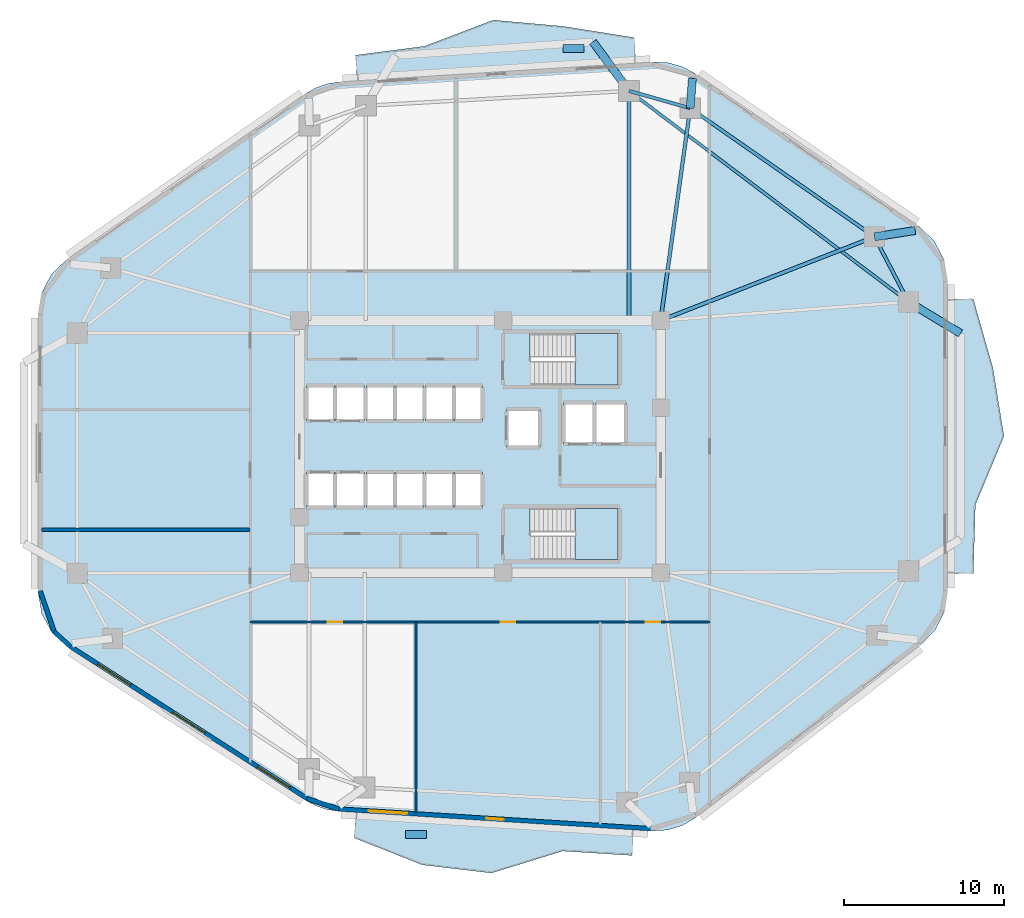
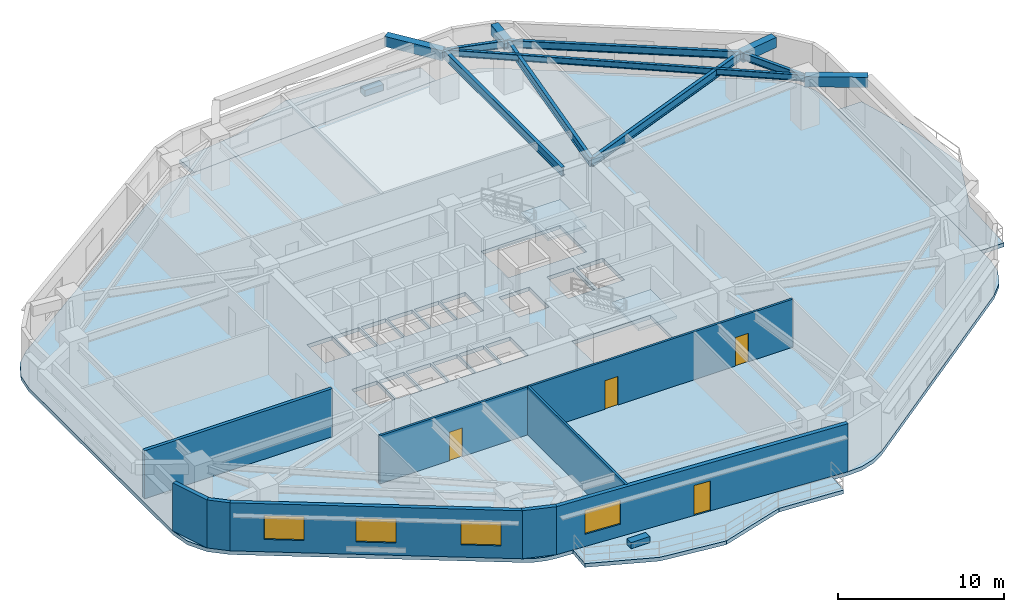
# One storey, part 2 of 8: 11 beams, 8 walls, 6 slabs, 4 doors, 4 windows, 2 plates, 8 openings, 2 elements without a shape of their own.
"""IFC4 building model written with IfcOpenShell, lengths in metres."""

from ifc_helpers import new_model, si_unit, direction, frame, frame_2d, origin, origin_2d, place, context, subcontext, project, spatial, polyline, rectangle, i_section, outline, extrude, material, layer, layer_set, material_profile, profile_set, type_object, element, fill, aggregate, save


model = new_model("IFC4")

# Units and contexts
model_context = context("Model", 3, precision=1e-05, world=origin(), true_north=direction((0.0, 1.0)))
body_context = subcontext(model_context, "Body", "Model", "MODEL_VIEW")
ifc_project = project(units=[si_unit("LENGTHUNIT", "METRE"), si_unit("AREAUNIT", "SQUARE_METRE"), si_unit("VOLUMEUNIT", "CUBIC_METRE"), si_unit("PLANEANGLEUNIT", "RADIAN"), si_unit("MASSUNIT", "GRAM", prefix="KILO")], contexts=[model_context])

# Site, building, storey
site_placement = place(None, origin())
site = spatial("IfcSite", under=ifc_project, at=site_placement, CompositionType="ELEMENT")
building_placement = place(site_placement, origin())
building = spatial("IfcBuilding", under=site, at=building_placement, Name="Zulverin Broadcast Headquarters", CompositionType="ELEMENT")
storey_placement = place(building_placement, frame((0.0, 0.0, 44.0)))
storey = spatial("IfcBuildingStorey", under=building, at=storey_placement, Name="L10", CompositionType="ELEMENT", Elevation=44.0)

# Beams
ifc_material_1 = material(Name="Concrete C40/50", Category="concrete")
ifc_material_profile_1 = material_profile(ifc_material_1, rectangle(XDim=0.5, YDim=0.75, at=origin_2d()), Name="Concrete C40/50", Category="concrete")
ifc_profile_set_1 = profile_set([ifc_material_profile_1], Name="Concrete C40/50")
beam_type_1 = type_object("IfcBeamType", Name="BM-RC-500x750", PredefinedType="BEAM", material=ifc_profile_set_1)
beam_1_placement = place(storey_placement, frame((61.630126953125, 38.298583984375, 3.14990234375), z_axis=(0.988133444256, 0.153597839639, 0.0), x_axis=(-0.153597839639, 0.988133444256, 0.0)))
element("IfcBeam", 1, at=beam_1_placement, inside=storey, type_object=beam_type_1, Name="L11 Plate Overhang Back-Spanned Beam OVR-07", PredefinedType="BEAM", context=body_context, shape_type="SweptSolid", body=[
    extrude(rectangle(XDim=0.5, YDim=0.75, at=origin_2d()), origin(), (0.0, 0.0, 1.0), 2.57177734375),
])
beam_2_placement = place(storey_placement, frame((50.121826171875, 46.325927734375, 3.14990234375), z_axis=(0.073023006252, 0.997330256514, 0.0), x_axis=(-0.997330256514, 0.073023006252, 0.0)))
element("IfcBeam", 2, at=beam_2_placement, inside=storey, type_object=beam_type_1, Name="L11 Plate Overhang Back-Spanned Beam OVR-08", PredefinedType="BEAM", context=body_context, shape_type="SweptSolid", body=[
    extrude(rectangle(XDim=0.5, YDim=0.75, at=origin_2d()), origin(), (0.0, 0.0, 1.0), 1.875732421875),
])
for number, where, z_axis, x_axis, name in (
    (3, (63.75, 34.235107421875, 3.14990234375), (0.855593685746, -0.517647993246, 0.0), (0.517647993246, 0.855593685746, 0.0), "L11 Balcony Column-Framed Cantilever BAL_E-2"),
    (4, (46.30224609375, 47.4091796875, 3.14990234375), (-0.592925064887, 0.805257640404, 0.0), (-0.805257640404, -0.592925064887, 0.0), "L11 Balcony Column-Framed Cantilever BAL_N-1"),
):
    element("IfcBeam", number, at=place(storey_placement, frame(where, z_axis=z_axis, x_axis=x_axis)), inside=storey, type_object=beam_type_1, Name=name, PredefinedType="BEAM", context=body_context, shape_type="SweptSolid", body=[
        extrude(rectangle(XDim=0.5, YDim=0.75, at=origin_2d()), origin(), (0.0, 0.0, 1.0), 3.800048828125),
    ])
ifc_material_2 = material(Name="Structural steel S355JR", Category="steel")
ifc_material_profile_2 = material_profile(ifc_material_2, i_section(OverallWidth=0.19287109375, OverallDepth=0.46728515625, WebThickness=0.011474609375, FlangeThickness=0.01953125, at=origin_2d()), Name="Structural steel S355JR", Category="steel")
ifc_profile_set_2 = profile_set([ifc_material_profile_2], Name="Structural steel S355JR")
beam_type_2 = type_object("IfcBeamType", Name="BM-UB-457", PredefinedType="JOIST", material=ifc_profile_set_2)
beam_3_placement = place(storey_placement, frame((63.75, 34.235107421875, 3.29150390625), z_axis=(-0.798058136838, 0.602580459546, 0.0), x_axis=(-0.602580459546, -0.798058136838, 0.0)))
element("IfcBeam", 5, at=beam_3_placement, inside=storey, type_object=beam_type_2, Name="L10 Chordal Floor Joist J-02", PredefinedType="JOIST", context=body_context, shape_type="SweptSolid", body=[
    extrude(i_section(OverallWidth=0.19287109375, OverallDepth=0.46728515625, WebThickness=0.011474609375, FlangeThickness=0.01953125, at=origin_2d()), origin(), (0.0, 0.0, 1.0), 21.86279296875),
])
ifc_material_profile_3 = material_profile(ifc_material_2, i_section(OverallWidth=0.2119140625, OverallDepth=0.54443359375, WebThickness=0.0126953125, FlangeThickness=0.021240234375, at=origin_2d()), Name="Structural steel S355JR", Category="steel")
ifc_profile_set_3 = profile_set([ifc_material_profile_3], Name="Structural steel S355JR")
beam_type_3 = type_object("IfcBeamType", Name="BM-UB-533", PredefinedType="SPANDREL", material=ifc_profile_set_3)
beam_4_placement = place(storey_placement, frame((63.75, 34.235107421875, 3.252685546875), z_axis=(-0.462531417359, 0.886602891917, 0.0), x_axis=(-0.886602891917, -0.462531417359, 0.0)))
element("IfcBeam", 6, at=beam_4_placement, inside=storey, type_object=beam_type_3, Name="L10 Perimeter Spandrel Beam SP-06", PredefinedType="SPANDREL", context=body_context, shape_type="SweptSolid", body=[
    extrude(i_section(OverallWidth=0.2119140625, OverallDepth=0.54443359375, WebThickness=0.0126953125, FlangeThickness=0.021240234375, at=origin_2d()), origin(), (0.0, 0.0, 1.0), 4.583251953125),
])
beam_5_placement = place(storey_placement, frame((61.630126953125, 38.298583984375, 3.252685546875), z_axis=(-0.820183915206, 0.5720999434, 0.0), x_axis=(-0.5720999434, -0.820183915206, 0.0)))
element("IfcBeam", 7, at=beam_5_placement, inside=storey, type_object=beam_type_3, Name="L10 Perimeter Spandrel Beam SP-07", PredefinedType="SPANDREL", context=body_context, shape_type="SweptSolid", body=[
    extrude(i_section(OverallWidth=0.2119140625, OverallDepth=0.54443359375, WebThickness=0.0126953125, FlangeThickness=0.021240234375, at=origin_2d()), origin(), (0.0, 0.0, 1.0), 14.03125),
])
beam_6_placement = place(storey_placement, frame((50.121826171875, 46.325927734375, 3.252685546875), z_axis=(-0.962058150721, 0.272844487999, 0.0), x_axis=(-0.272844487999, -0.962058150721, 0.0)))
element("IfcBeam", 8, at=beam_6_placement, inside=storey, type_object=beam_type_3, Name="L10 Perimeter Spandrel Beam SP-08", PredefinedType="SPANDREL", context=body_context, shape_type="SweptSolid", body=[
    extrude(i_section(OverallWidth=0.2119140625, OverallDepth=0.54443359375, WebThickness=0.0126953125, FlangeThickness=0.021240234375, at=origin_2d()), origin(), (0.0, 0.0, 1.0), 3.97021484375),
])
ifc_material_profile_4 = material_profile(ifc_material_2, i_section(OverallWidth=0.230224609375, OverallDepth=0.6171875, WebThickness=0.01318359375, FlangeThickness=0.022216796875, at=origin_2d()), Name="Structural steel S355JR", Category="steel")
ifc_profile_set_4 = profile_set([ifc_material_profile_4], Name="Structural steel S355JR")
beam_type_4 = type_object("IfcBeamType", Name="BM-UB-610", PredefinedType="BEAM", material=ifc_profile_set_4)
beam_7_placement = place(storey_placement, frame((48.27490234375, 33.074951171875, 3.21630859375), z_axis=(0.931297778153, 0.364258765723, 0.0), x_axis=(-0.364258765723, 0.931297778153, 0.0)))
element("IfcBeam", 9, at=beam_7_placement, inside=storey, type_object=beam_type_4, Name="L10 Radial Primary Floor Beam RB-07", PredefinedType="BEAM", context=body_context, shape_type="SweptSolid", body=[
    extrude(i_section(OverallWidth=0.230224609375, OverallDepth=0.6171875, WebThickness=0.01318359375, FlangeThickness=0.022216796875, at=origin_2d()), origin(), (0.0, 0.0, 1.0), 14.34033203125),
])
beam_8_placement = place(storey_placement, frame((48.27490234375, 33.074951171875, 3.21630859375), z_axis=(0.138045758193, 0.990425852169, 0.0), x_axis=(-0.990425852169, 0.138045758193, 0.0)))
element("IfcBeam", 10, at=beam_8_placement, inside=storey, type_object=beam_type_4, Name="L10 Radial Primary Floor Beam RB-08", PredefinedType="BEAM", context=body_context, shape_type="SweptSolid", body=[
    extrude(i_section(OverallWidth=0.230224609375, OverallDepth=0.6171875, WebThickness=0.01318359375, FlangeThickness=0.022216796875, at=origin_2d()), origin(), (0.0, 0.0, 1.0), 13.379150390625),
])
beam_9_placement = place(storey_placement, frame((46.30224609375, 33.074951171875, 3.21630859375), z_axis=(0.0, 1.0, 0.0), x_axis=(-1.0, 0.0, 0.0)))
element("IfcBeam", 11, at=beam_9_placement, inside=storey, type_object=beam_type_4, Name="L10 Radial Primary Floor Beam RB-09", PredefinedType="BEAM", context=body_context, shape_type="SweptSolid", body=[
    extrude(i_section(OverallWidth=0.230224609375, OverallDepth=0.6171875, WebThickness=0.01318359375, FlangeThickness=0.022216796875, at=origin_2d()), origin(), (0.0, 0.0, 1.0), 14.334228515625),
])

# Plates
ifc_material_3 = material(Name="Precast concrete C45/55", Category="concrete")
ifc_layer_1 = layer(ifc_material_3, 0.449951171875, Name="Precast concrete C45/55", Category="concrete")
ifc_layer_set_1 = layer_set([ifc_layer_1], Name="Precast concrete C45/55")
plate_type = type_object("IfcPlateType", Name="PT-01_PRECAST_GFRC_TREE_PLANTER", PredefinedType="USERDEFINED", material=ifc_layer_set_1)
for number, where, z_axis, x_axis, name in (
    (12, (32.993408203125, 0.973876953125, -0.0048828125), (0.0, 0.0, 1.0), (1.0, 0.0, 0.0), "L10 Precast GFRC Tree Planter BAL_S"),
    (13, (42.825927734375, 50.04638671875, -0.0048828125), (0.0, 0.0, 1.0), (1.0, 0.0, 0.0), "L10 Precast GFRC Tree Planter BAL_N"),
):
    element("IfcPlate", number, at=place(storey_placement, frame(where, z_axis=z_axis, x_axis=x_axis)), inside=storey, type_object=plate_type, Name=name, ObjectType="PLANTER", PredefinedType="USERDEFINED", context=body_context, shape_type="SweptSolid", body=[
        extrude(rectangle(XDim=1.300048828125, YDim=0.5, at=origin_2d()), origin(), (0.0, 0.0, 1.0), 0.449951171875),
    ])

# Slabs
ifc_layer_2 = layer(ifc_material_1, 0.27490234375, Name="Concrete C40/50", Category="concrete")
ifc_layer_set_2 = layer_set([ifc_layer_2], Name="Concrete C40/50")
slab_type_1 = type_object("IfcSlabType", Name="SLB-BAL-275", PredefinedType="FLOOR", material=ifc_layer_set_2)
slab_1_placement = place(storey_placement, frame((0.0, 0.0, -0.27490234375)))
element("IfcSlab", 14, at=slab_1_placement, inside=storey, type_object=slab_type_1, Name="L10 Cantilevered Planted Balcony Slab BAL_E", PredefinedType="FLOOR", context=body_context, shape_type="SweptSolid", body=[
    extrude(outline(polyline([(66.199951171875, 34.41455078125), (66.199951171875, 17.283447265625), (67.800048828125, 17.283447265625), (67.928955078125, 21.566162109375), (69.714599609375, 25.848876953125), (69.018798828125, 30.131591796875), (67.800048828125, 34.41455078125), (66.199951171875, 34.41455078125)])), origin(), (0.0, 0.0, 1.0), 0.27490234375),
])
slab_2_placement = place(storey_placement, frame((0.0, 0.0, -0.27490234375)))
element("IfcSlab", 15, at=slab_2_placement, inside=storey, type_object=slab_type_1, Name="L10 Cantilevered Planted Balcony Slab BAL_S", PredefinedType="FLOOR", context=body_context, shape_type="SweptSolid", body=[
    extrude(outline(polyline([(46.5927734375, 1.268310546875), (29.250244140625, 2.3623046875), (29.149658203125, 0.765380859375), (33.396484375, -0.9169921875), (37.717041015625, -1.42822265625), (42.156494140625, -0.054931640625), (46.4921875, -0.328369140625), (46.5927734375, 1.268310546875)])), origin(), (0.0, 0.0, 1.0), 0.27490234375),
])
slab_3_placement = place(storey_placement, frame((0.0, 0.0, -0.27490234375)))
element("IfcSlab", 16, at=slab_3_placement, inside=storey, type_object=slab_type_1, Name="L10 Cantilevered Planted Balcony Slab BAL_N", PredefinedType="FLOOR", context=body_context, shape_type="SweptSolid", body=[
    extrude(outline(polyline([(29.330078125, 48.04296875), (46.72509765625, 49.139892578125), (46.62451171875, 50.73681640625), (42.214111328125, 51.439453125), (37.8232421875, 51.8349609375), (33.56005859375, 50.2041015625), (29.2294921875, 49.639892578125), (29.330078125, 48.04296875)])), origin(), (0.0, 0.0, 1.0), 0.27490234375),
])

# Stair, slab
stair_type = type_object("IfcStairType", Name="ST-CORE-1500", PredefinedType="HALF_TURN_STAIR", material=ifc_material_1)
stair_1_placement = place(storey_placement, origin())
stair_1 = element("IfcStair", 17, at=stair_1_placement, inside=storey, type_object=stair_type, Name="L10 Core Exit Stair ST-1", PredefinedType="HALF_TURN_STAIR")
ifc_layer_3 = layer(ifc_material_1, 0.199951171875, Name="Concrete C40/50", Category="concrete")
ifc_layer_set_3 = layer_set([ifc_layer_3], Name="Concrete C40/50")
slab_type_2 = type_object("IfcSlabType", Name="SLB-ST-LND200", PredefinedType="LANDING", material=ifc_layer_set_3)
slab_4_placement = place(storey_placement, frame((0.0, 0.0, 1.699951171875)))
slab_4 = element("IfcSlab", 18, at=slab_4_placement, type_object=slab_type_2, Name="ST-1 landing 1", PredefinedType="LANDING", context=body_context, shape_type="SweptSolid", body=[
    extrude(outline(polyline([(42.929931640625, 29.050048828125), (45.60009765625, 29.050048828125), (45.60009765625, 32.25), (42.929931640625, 32.25), (42.929931640625, 29.050048828125)])), origin(), (0.0, 0.0, 1.0), 0.199951171875),
])
aggregate(stair_1, [slab_4])

stair_2_placement = place(storey_placement, origin())
stair_2 = element("IfcStair", 19, at=stair_2_placement, inside=storey, type_object=stair_type, Name="L10 Core Exit Stair ST-2", PredefinedType="HALF_TURN_STAIR")
slab_5_placement = place(storey_placement, frame((0.0, 0.0, 1.699951171875)))
slab_5 = element("IfcSlab", 20, at=slab_5_placement, type_object=slab_type_2, Name="ST-2 landing 1", PredefinedType="LANDING", context=body_context, shape_type="SweptSolid", body=[
    extrude(outline(polyline([(42.929931640625, 18.14990234375), (45.60009765625, 18.14990234375), (45.60009765625, 21.35009765625), (42.929931640625, 21.35009765625), (42.929931640625, 18.14990234375)])), origin(), (0.0, 0.0, 1.0), 0.199951171875),
])
aggregate(stair_2, [slab_5])

# Slab
ifc_layer_4 = layer(ifc_material_1, 0.27490234375, Name="Concrete C40/50", Category="concrete")
ifc_layer_set_4 = layer_set([ifc_layer_4], Name="Concrete C40/50")
slab_type_3 = type_object("IfcSlabType", Name="SLB-TWR-275", PredefinedType="FLOOR", material=ifc_layer_set_4)
slab_6_placement = place(storey_placement, frame((0.0, 0.0, -0.27490234375)))
element("IfcSlab", 21, at=slab_6_placement, inside=storey, type_object=slab_type_3, Name="L10 Main Structural Floor Slab", PredefinedType="FLOOR", context=body_context, shape_type="SweptSolid", body=[
    extrude(outline(polyline([(26.146484375, 3.089599609375), (26.774658203125, 2.75732421875), (27.44970703125, 2.535888671875), (28.152587890625, 2.431396484375), (47.690673828125, 1.19921875), (48.69189453125, 1.256103515625), (49.6513671875, 1.548828125), (50.51416015625, 2.060546875), (64.55908203125, 12.85302734375), (65.44140625, 13.77587890625), (66.005859375, 14.92138671875), (66.199951171875, 16.183349609375), (66.199951171875, 35.514404296875), (65.981689453125, 36.85107421875), (65.349365234375, 38.048583984375), (64.368896484375, 38.982666015625), (50.456298828125, 48.485595703125), (49.639404296875, 48.920166015625), (48.747314453125, 49.165283203125), (47.822998046875, 49.208984375), (28.232421875, 47.9736328125), (27.481201171875, 47.857421875), (26.76318359375, 47.607666015625), (26.102294921875, 47.232666015625), (11.20556640625, 36.89501953125), (10.238037109375, 35.9619140625), (9.614990234375, 34.77099609375), (9.39990234375, 33.4443359375), (9.39990234375, 16.1435546875), (9.631103515625, 14.769775390625), (10.298583984375, 13.547119140625), (11.32958984375, 12.610107421875), (26.146484375, 3.089599609375)]), holes=[polyline([(40.155029296875, 30.75), (40.130126953125, 30.75), (40.130126953125, 32.25), (45.60009765625, 32.25), (45.60009765625, 29.050048828125), (40.155029296875, 29.050048828125), (40.155029296875, 30.75)]), polyline([(40.155029296875, 19.85009765625), (40.130126953125, 19.85009765625), (40.130126953125, 21.35009765625), (45.60009765625, 21.35009765625), (45.60009765625, 18.14990234375), (40.155029296875, 18.14990234375), (40.155029296875, 19.85009765625)]), polyline([(26.14990234375, 26.800048828125), (27.89990234375, 26.800048828125), (27.89990234375, 29.0), (26.14990234375, 29.0), (26.14990234375, 26.800048828125)]), polyline([(28.02001953125, 26.800048828125), (29.77001953125, 26.800048828125), (29.77001953125, 29.0), (28.02001953125, 29.0), (28.02001953125, 26.800048828125)]), polyline([(26.14990234375, 21.39990234375), (27.89990234375, 21.39990234375), (27.89990234375, 23.60009765625), (26.14990234375, 23.60009765625), (26.14990234375, 21.39990234375)]), polyline([(28.02001953125, 21.39990234375), (29.77001953125, 21.39990234375), (29.77001953125, 23.60009765625), (28.02001953125, 23.60009765625), (28.02001953125, 21.39990234375)]), polyline([(29.89990234375, 21.39990234375), (31.6201171875, 21.39990234375), (31.6201171875, 23.60009765625), (29.89990234375, 23.60009765625), (29.89990234375, 21.39990234375)]), polyline([(31.739990234375, 21.39990234375), (33.4599609375, 21.39990234375), (33.4599609375, 23.60009765625), (31.739990234375, 23.60009765625), (31.739990234375, 21.39990234375)]), polyline([(33.580078125, 21.39990234375), (35.300048828125, 21.39990234375), (35.300048828125, 23.60009765625), (33.580078125, 23.60009765625), (33.580078125, 21.39990234375)]), polyline([(35.419921875, 21.39990234375), (37.139892578125, 21.39990234375), (37.139892578125, 23.60009765625), (35.419921875, 23.60009765625), (35.419921875, 21.39990234375)]), polyline([(29.89990234375, 26.800048828125), (31.6201171875, 26.800048828125), (31.6201171875, 29.0), (29.89990234375, 29.0), (29.89990234375, 26.800048828125)]), polyline([(31.739990234375, 26.800048828125), (33.4599609375, 26.800048828125), (33.4599609375, 29.0), (31.739990234375, 29.0), (31.739990234375, 26.800048828125)]), polyline([(33.580078125, 26.800048828125), (35.300048828125, 26.800048828125), (35.300048828125, 29.0), (33.580078125, 29.0), (33.580078125, 26.800048828125)]), polyline([(35.419921875, 26.800048828125), (37.139892578125, 26.800048828125), (37.139892578125, 29.0), (35.419921875, 29.0), (35.419921875, 26.800048828125)]), polyline([(42.199951171875, 25.35009765625), (44.050048828125, 25.35009765625), (44.050048828125, 27.949951171875), (42.199951171875, 27.949951171875), (42.199951171875, 25.35009765625)]), polyline([(44.25, 25.35009765625), (46.10009765625, 25.35009765625), (46.10009765625, 27.949951171875), (44.25, 27.949951171875), (44.25, 25.35009765625)]), polyline([(38.64990234375, 25.14990234375), (40.75, 25.14990234375), (40.75, 27.550048828125), (38.64990234375, 27.550048828125), (38.64990234375, 25.14990234375)])]), origin(), (0.0, 0.0, 1.0), 0.27490234375),
])

# Wall
ifc_material_4 = material(Name="Double-stud acoustic drywall", Category="gypsum")
ifc_layer_5 = layer(ifc_material_4, 0.219970703125, Name="Double-stud acoustic drywall", Category="gypsum")
ifc_layer_set_5 = layer_set([ifc_layer_5], Name="Double-stud acoustic drywall")
wall_type_1 = type_object("IfcWallType", Name="WL-ACOU-220", PredefinedType="PARTITIONING", material=ifc_layer_set_5)
wall_1_placement = place(storey_placement, frame((9.60498046875, 20.0, 0.0), z_axis=(0.0, 0.0, 1.0), x_axis=(1.0, 0.0, 0.0)))
element("IfcWall", 22, at=wall_1_placement, inside=storey, type_object=wall_type_1, Name="L10 Room Partition Wall RP-07", PredefinedType="PARTITIONING", context=body_context, shape_type="SweptSolid", body=[
    extrude(rectangle(XDim=13.044921875, YDim=0.219970703125, at=frame_2d((6.5224609375, 0.0))), origin(), (0.0, 0.0, 1.0), 3.52490234375),
])

# Wall, openings, door, window
ifc_material_5 = material(Name="Insulated pale-metal clad concrete spandrel C40/50", Category="concrete")
ifc_layer_6 = layer(ifc_material_5, 0.280029296875, Name="Insulated pale-metal clad concrete spandrel C40/50", Category="concrete")
ifc_layer_set_6 = layer_set([ifc_layer_6], Name="Insulated pale-metal clad concrete spandrel C40/50")
wall_type_2 = type_object("IfcWallType", Name="WL-EXT-280", PredefinedType="STANDARD", material=ifc_layer_set_6)
wall_2_placement = place(storey_placement, frame((28.161376953125, 2.571044921875, 0.0), z_axis=(0.0, 0.0, 1.0), x_axis=(0.998017288298, -0.06294038654, 0.0)))
wall_2 = element("IfcWall", 23, at=wall_2_placement, inside=storey, type_object=wall_type_2, Name="L10 Pale-Metal Clad Spandrel Wall 1", PredefinedType="STANDARD", context=body_context, shape_type="SweptSolid", body=[
    extrude(rectangle(XDim=19.576904296875, YDim=0.280029296875, at=frame_2d((9.78857421875, 0.0))), origin(), (0.0, 0.0, 1.0), 3.52490234375),
])
opening_1_placement = place(wall_2_placement, frame((9.238525390625, 0.0, 0.0)))
opening_1 = element("IfcOpeningElement", 24, at=opening_1_placement, cuts=wall_2, Name="Opening D-L10-TR1", PredefinedType="OPENING", context=body_context, shape_type="SweptSolid", body=[
    extrude(rectangle(XDim=1.10009765625, YDim=2.199951171875, at=frame_2d((0.550048828125, 1.10009765625))), frame((0.0, 0.14990234375, 0.0), z_axis=(0.0, -1.0, 0.0), x_axis=(1.0, 0.0, 0.0)), (0.0, 0.0, 1.0), 0.300048828125),
])
opening_2_placement = place(wall_2_placement, frame((1.896240234375, 0.0, 0.89990234375)))
opening_2 = element("IfcOpeningElement", 25, at=opening_2_placement, cuts=wall_2, Name="Opening W-L10-E11", PredefinedType="OPENING", context=body_context, shape_type="SweptSolid", body=[
    extrude(rectangle(XDim=2.39990234375, YDim=1.75, at=frame_2d((1.199951171875, 0.875))), frame((0.0, 0.14990234375, 0.0), z_axis=(0.0, -1.0, 0.0), x_axis=(1.0, 0.0, 0.0)), (0.0, 0.0, 1.0), 0.300048828125),
])
ifc_material_6 = material(Name="Thermally broken aluminium glazed", Category="aluminium")
door_type_1 = type_object("IfcDoorType", Name="DR-TERR-1100", OperationType="SINGLE_SWING_RIGHT", PredefinedType="DOOR", material=ifc_material_6)
door_1_placement = place(opening_1_placement, origin())
door_1 = element("IfcDoor", 26, at=door_1_placement, inside=storey, type_object=door_type_1, Name="L10 Planted Terrace Glazed Access Door 1", OperationType="SINGLE_SWING_RIGHT", OverallHeight=2.199951171875, OverallWidth=1.10009765625, PredefinedType="DOOR", context=body_context, shape_type="SweptSolid", body=[
    extrude(rectangle(XDim=1.10009765625, YDim=2.199951171875, at=frame_2d((0.550048828125, 1.10009765625))), frame((0.0, 0.02490234375, 0.0), z_axis=(0.0, -1.0, 0.0), x_axis=(1.0, 0.0, 0.0)), (0.0, 0.0, 1.0), 0.050048828125),
])
fill(opening_1, door_1)
ifc_material_7 = material(Name="Pale anodized aluminium frame with solar-control low-E double glazing", Category="aluminium")
window_type = type_object("IfcWindowType", Name="WIN-RIB-2400", PartitioningType="SINGLE_PANEL", PredefinedType="WINDOW", material=ifc_material_7)
window_1_placement = place(opening_2_placement, origin())
window_1 = element("IfcWindow", 27, at=window_1_placement, inside=storey, type_object=window_type, Name="L10 Ribbon Glazing Window 1 1", OverallHeight=1.75, OverallWidth=2.39990234375, PartitioningType="SINGLE_PANEL", PredefinedType="WINDOW", context=body_context, shape_type="SweptSolid", body=[
    extrude(rectangle(XDim=2.39990234375, YDim=1.75, at=frame_2d((1.199951171875, 0.875))), frame((0.0, 0.030029296875, 0.0), z_axis=(0.0, -1.0, 0.0), x_axis=(1.0, 0.0, 0.0)), (0.0, 0.0, 1.0), 0.06005859375),
])
fill(opening_2, window_1)

# Wall, openings, windows
wall_3_placement = place(storey_placement, frame((11.4052734375, 12.727783203125, 0.0), z_axis=(0.0, 0.0, 1.0), x_axis=(0.841304564637, -0.540561402175, 0.0)))
wall_3 = element("IfcWall", 28, at=wall_3_placement, inside=storey, type_object=wall_type_2, Name="L10 Pale-Metal Clad Spandrel Wall 8", PredefinedType="STANDARD", context=body_context, shape_type="SweptSolid", body=[
    extrude(rectangle(XDim=17.61181640625, YDim=0.280029296875, at=frame_2d((8.805908203125, 0.0))), origin(), (0.0, 0.0, 1.0), 3.52490234375),
])
opening_3_placement = place(wall_3_placement, frame((2.068603515625, 0.0, 0.89990234375)))
opening_3 = element("IfcOpeningElement", 29, at=opening_3_placement, cuts=wall_3, Name="Opening W-L10-E81", PredefinedType="OPENING", context=body_context, shape_type="SweptSolid", body=[
    extrude(rectangle(XDim=2.39990234375, YDim=1.75, at=frame_2d((1.199951171875, 0.875))), frame((0.0, 0.14990234375, 0.0), z_axis=(0.0, -1.0, 0.0), x_axis=(1.0, 0.0, 0.0)), (0.0, 0.0, 1.0), 0.300048828125),
])
opening_4_placement = place(wall_3_placement, frame((7.60595703125, 0.0, 0.89990234375)))
opening_4 = element("IfcOpeningElement", 30, at=opening_4_placement, cuts=wall_3, Name="Opening W-L10-E82", PredefinedType="OPENING", context=body_context, shape_type="SweptSolid", body=[
    extrude(rectangle(XDim=2.39990234375, YDim=1.75, at=frame_2d((1.199951171875, 0.875))), frame((0.0, 0.14990234375, 0.0), z_axis=(0.0, -1.0, 0.0), x_axis=(1.0, 0.0, 0.0)), (0.0, 0.0, 1.0), 0.300048828125),
])
opening_5_placement = place(wall_3_placement, frame((13.923095703125, 0.0, 0.89990234375)))
opening_5 = element("IfcOpeningElement", 31, at=opening_5_placement, cuts=wall_3, Name="Opening W-L10-E83", PredefinedType="OPENING", context=body_context, shape_type="SweptSolid", body=[
    extrude(rectangle(XDim=2.39990234375, YDim=1.75, at=frame_2d((1.199951171875, 0.875))), frame((0.0, 0.14990234375, 0.0), z_axis=(0.0, -1.0, 0.0), x_axis=(1.0, 0.0, 0.0)), (0.0, 0.0, 1.0), 0.300048828125),
])
window_2_placement = place(opening_3_placement, origin())
window_2 = element("IfcWindow", 32, at=window_2_placement, inside=storey, type_object=window_type, Name="L10 Ribbon Glazing Window 8 1", OverallHeight=1.75, OverallWidth=2.39990234375, PartitioningType="SINGLE_PANEL", PredefinedType="WINDOW", context=body_context, shape_type="SweptSolid", body=[
    extrude(rectangle(XDim=2.39990234375, YDim=1.75, at=frame_2d((1.199951171875, 0.875))), frame((0.0, 0.030029296875, 0.0), z_axis=(0.0, -1.0, 0.0), x_axis=(1.0, 0.0, 0.0)), (0.0, 0.0, 1.0), 0.06005859375),
])
fill(opening_3, window_2)
window_3_placement = place(opening_4_placement, origin())
window_3 = element("IfcWindow", 33, at=window_3_placement, inside=storey, type_object=window_type, Name="L10 Ribbon Glazing Window 8 2", OverallHeight=1.75, OverallWidth=2.39990234375, PartitioningType="SINGLE_PANEL", PredefinedType="WINDOW", context=body_context, shape_type="SweptSolid", body=[
    extrude(rectangle(XDim=2.39990234375, YDim=1.75, at=frame_2d((1.199951171875, 0.875))), frame((0.0, 0.030029296875, 0.0), z_axis=(0.0, -1.0, 0.0), x_axis=(1.0, 0.0, 0.0)), (0.0, 0.0, 1.0), 0.06005859375),
])
fill(opening_4, window_3)
window_4_placement = place(opening_5_placement, origin())
window_4 = element("IfcWindow", 34, at=window_4_placement, inside=storey, type_object=window_type, Name="L10 Ribbon Glazing Window 8 3", OverallHeight=1.75, OverallWidth=2.39990234375, PartitioningType="SINGLE_PANEL", PredefinedType="WINDOW", context=body_context, shape_type="SweptSolid", body=[
    extrude(rectangle(XDim=2.39990234375, YDim=1.75, at=frame_2d((1.199951171875, 0.875))), frame((0.0, 0.030029296875, 0.0), z_axis=(0.0, -1.0, 0.0), x_axis=(1.0, 0.0, 0.0)), (0.0, 0.0, 1.0), 0.06005859375),
])
fill(opening_5, window_4)

# Walls
wall_4_placement = place(storey_placement, frame((9.5322265625, 16.189453125, 0.0), z_axis=(0.0, 0.0, 1.0), x_axis=(0.32708309668, -0.944995580871, 0.0)))
element("IfcWall", 35, at=wall_4_placement, inside=storey, type_object=wall_type_2, Name="L10 Wind-Shaped Corner Spandrel Wall 7-1", PredefinedType="STANDARD", context=body_context, shape_type="SweptSolid", body=[
    extrude(rectangle(XDim=2.74755859375, YDim=0.280029296875, at=frame_2d((1.373779296875, 0.0))), origin(), (0.0, 0.0, 1.0), 3.52490234375),
])
wall_5_placement = place(storey_placement, frame((10.392822265625, 13.650634765625, 0.0), z_axis=(0.0, 0.0, 1.0), x_axis=(0.74003521851, -0.672568119498, 0.0)))
element("IfcWall", 36, at=wall_5_placement, inside=storey, type_object=wall_type_2, Name="L10 Wind-Shaped Corner Spandrel Wall 7-2", PredefinedType="STANDARD", context=body_context, shape_type="SweptSolid", body=[
    extrude(rectangle(XDim=1.39306640625, YDim=0.280029296875, at=frame_2d((0.696533203125, 0.0))), origin(), (0.0, 0.0, 1.0), 3.52490234375),
])
wall_6_placement = place(storey_placement, frame((26.18994140625, 3.22265625, 0.0), z_axis=(0.0, 0.0, 1.0), x_axis=(0.95016442175, -0.311749212734, 0.0)))
element("IfcWall", 37, at=wall_6_placement, inside=storey, type_object=wall_type_2, Name="L10 Wind-Shaped Corner Spandrel Wall 8-1", PredefinedType="STANDARD", context=body_context, shape_type="SweptSolid", body=[
    extrude(rectangle(XDim=2.111328125, YDim=0.280029296875, at=frame_2d((1.0556640625, 0.0))), origin(), (0.0, 0.0, 1.0), 3.52490234375),
])
ifc_material_8 = material(Name="Fire-rated gypsum stud partition", Category="gypsum")
ifc_layer_7 = layer(ifc_material_8, 0.14990234375, Name="Fire-rated gypsum stud partition", Category="gypsum")
ifc_layer_set_7 = layer_set([ifc_layer_7], Name="Fire-rated gypsum stud partition")
wall_type_3 = type_object("IfcWallType", Name="WL-PART-150", PredefinedType="PARTITIONING", material=ifc_layer_set_7)
wall_7_placement = place(storey_placement, frame((33.0, 2.330810546875, 0.0), z_axis=(0.0, 0.0, 1.0), x_axis=(0.0, 1.0, 0.0)))
element("IfcWall", 38, at=wall_7_placement, inside=storey, type_object=wall_type_3, Name="L10 Room Partition Wall RP-04", PredefinedType="PARTITIONING", context=body_context, shape_type="SweptSolid", body=[
    extrude(rectangle(XDim=11.919189453125, YDim=0.14990234375, at=frame_2d((5.95947265625, 0.0))), origin(), (0.0, 0.0, 1.0), 3.52490234375),
])

# Wall, openings, doors
wall_8_placement = place(storey_placement, frame((22.64990234375, 14.25, 0.0), z_axis=(0.0, 0.0, 1.0), x_axis=(1.0, 0.0, 0.0)))
wall_8 = element("IfcWall", 39, at=wall_8_placement, inside=storey, type_object=wall_type_3, Name="L10 Gallery Partition Wall CG-06", PredefinedType="PARTITIONING", context=body_context, shape_type="SweptSolid", body=[
    extrude(rectangle(XDim=28.7001953125, YDim=0.14990234375, at=frame_2d((14.35009765625, 0.0))), origin(), (0.0, 0.0, 1.0), 3.52490234375),
])
opening_6_placement = place(wall_8_placement, frame((4.844970703125, 0.0, 0.0)))
opening_6 = element("IfcOpeningElement", 40, at=opening_6_placement, cuts=wall_8, Name="Opening D-L10-03", PredefinedType="OPENING", context=body_context, shape_type="SweptSolid", body=[
    extrude(rectangle(XDim=0.89990234375, YDim=2.10009765625, at=frame_2d((0.449951171875, 1.050048828125))), frame((0.0, 0.0849609375, 0.0), z_axis=(0.0, -1.0, 0.0), x_axis=(1.0, 0.0, 0.0)), (0.0, 0.0, 1.0), 0.169921875),
])
opening_7_placement = place(wall_8_placement, frame((15.64990234375, 0.0, 0.0)))
opening_7 = element("IfcOpeningElement", 41, at=opening_7_placement, cuts=wall_8, Name="Opening D-L10-04", PredefinedType="OPENING", context=body_context, shape_type="SweptSolid", body=[
    extrude(rectangle(XDim=0.89990234375, YDim=2.10009765625, at=frame_2d((0.449951171875, 1.050048828125))), frame((0.0, 0.0849609375, 0.0), z_axis=(0.0, -1.0, 0.0), x_axis=(1.0, 0.0, 0.0)), (0.0, 0.0, 1.0), 0.169921875),
])
opening_8_placement = place(wall_8_placement, frame((24.705078125, 0.0, 0.0)))
opening_8 = element("IfcOpeningElement", 42, at=opening_8_placement, cuts=wall_8, Name="Opening D-L10-05", PredefinedType="OPENING", context=body_context, shape_type="SweptSolid", body=[
    extrude(rectangle(XDim=0.89990234375, YDim=2.10009765625, at=frame_2d((0.449951171875, 1.050048828125))), frame((0.0, 0.0849609375, 0.0), z_axis=(0.0, -1.0, 0.0), x_axis=(1.0, 0.0, 0.0)), (0.0, 0.0, 1.0), 0.169921875),
])
ifc_material_9 = material(Name="Fire-rated hardwood veneer timber leaf", Category="wood")
door_type_2 = type_object("IfcDoorType", Name="DR-ROOM-900", OperationType="SINGLE_SWING_RIGHT", PredefinedType="DOOR", material=ifc_material_9)
door_2_placement = place(opening_6_placement, origin())
door_2 = element("IfcDoor", 43, at=door_2_placement, inside=storey, type_object=door_type_2, Name="L10 Project Huddle Room Door", OperationType="SINGLE_SWING_LEFT", OverallHeight=2.10009765625, OverallWidth=0.89990234375, PredefinedType="DOOR", context=body_context, shape_type="SweptSolid", body=[
    extrude(rectangle(XDim=0.89990234375, YDim=2.10009765625, at=frame_2d((0.449951171875, 1.050048828125))), frame((0.0, 0.02490234375, 0.0), z_axis=(0.0, -1.0, 0.0), x_axis=(1.0, 0.0, 0.0)), (0.0, 0.0, 1.0), 0.050048828125),
])
fill(opening_6, door_2)
door_3_placement = place(opening_7_placement, origin())
door_3 = element("IfcDoor", 44, at=door_3_placement, inside=storey, type_object=door_type_2, Name="L10 Conference Room Door", OperationType="SINGLE_SWING_RIGHT", OverallHeight=2.10009765625, OverallWidth=0.89990234375, PredefinedType="DOOR", context=body_context, shape_type="SweptSolid", body=[
    extrude(rectangle(XDim=0.89990234375, YDim=2.10009765625, at=frame_2d((0.449951171875, 1.050048828125))), frame((0.0, 0.02490234375, 0.0), z_axis=(0.0, -1.0, 0.0), x_axis=(1.0, 0.0, 0.0)), (0.0, 0.0, 1.0), 0.050048828125),
])
fill(opening_7, door_3)
door_4_placement = place(opening_8_placement, origin())
door_4 = element("IfcDoor", 45, at=door_4_placement, inside=storey, type_object=door_type_2, Name="L10 Editorial Review Suite Door", OperationType="SINGLE_SWING_LEFT", OverallHeight=2.10009765625, OverallWidth=0.89990234375, PredefinedType="DOOR", context=body_context, shape_type="SweptSolid", body=[
    extrude(rectangle(XDim=0.89990234375, YDim=2.10009765625, at=frame_2d((0.449951171875, 1.050048828125))), frame((0.0, 0.02490234375, 0.0), z_axis=(0.0, -1.0, 0.0), x_axis=(1.0, 0.0, 0.0)), (0.0, 0.0, 1.0), 0.050048828125),
])
fill(opening_8, door_4)

save(model, "model.ifc")
